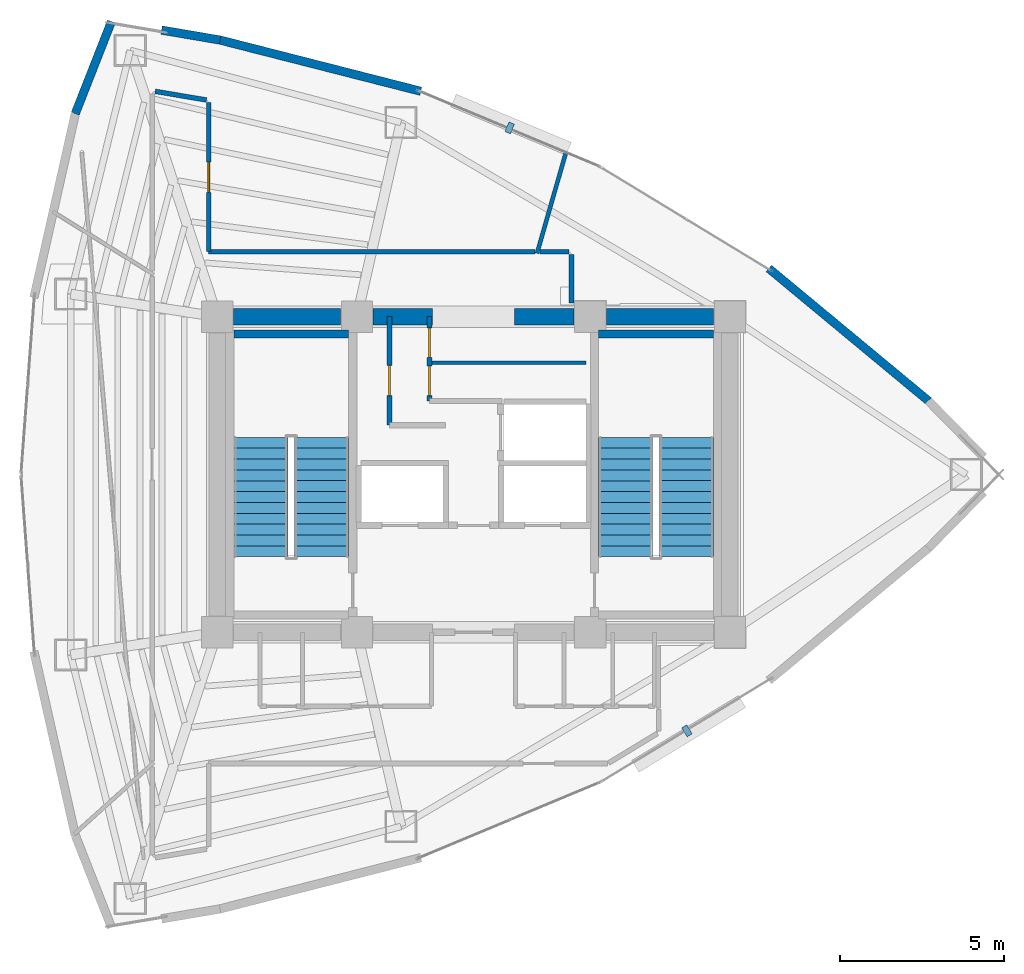
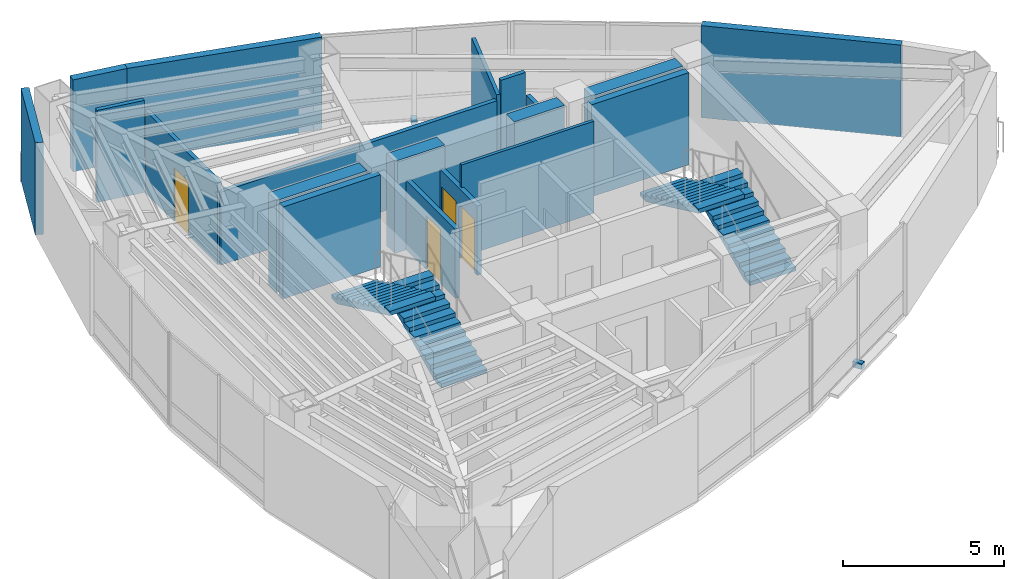
# One storey, part 13 of 16: 19 walls, 4 doors, 4 stair flights, 2 discrete accessories, 4 openings, 2 elements without a shape of their own.
"""IFC4 building model written with IfcOpenShell, lengths in metres."""

from ifc_helpers import new_model, si_unit, direction, frame, frame_2d, origin, origin_2d, place, context, subcontext, project, spatial, polyline, rectangle, outline, extrude, material, layer, layer_set, type_object, element, fill, aggregate, save


model = new_model("IFC4")

# Units and contexts
model_context = context("Model", 3, precision=1e-05, world=origin(), true_north=direction((0.0, 1.0)))
body_context = subcontext(model_context, "Body", "Model", "MODEL_VIEW")
ifc_project = project(units=[si_unit("LENGTHUNIT", "METRE"), si_unit("AREAUNIT", "SQUARE_METRE"), si_unit("VOLUMEUNIT", "CUBIC_METRE"), si_unit("PLANEANGLEUNIT", "RADIAN"), si_unit("MASSUNIT", "GRAM", prefix="KILO")], contexts=[model_context])

# Site, building, storey
site_placement = place(None, origin())
site = spatial("IfcSite", under=ifc_project, at=site_placement, CompositionType="ELEMENT")
building_placement = place(site_placement, origin())
building = spatial("IfcBuilding", under=site, at=building_placement, Name="Menara Vayukalpa", CompositionType="ELEMENT")
storey_placement = place(building_placement, frame((0.0, 0.0, 219.5400390625)))
storey = spatial("IfcBuildingStorey", under=building, at=storey_placement, Name="L55", CompositionType="ELEMENT", Elevation=219.5400390625)

# Walls
ifc_material_1 = material(Name="Concrete C60/75", Category="concrete")
ifc_layer_1 = layer(ifc_material_1, 0.5)
ifc_layer_set_1 = layer_set([ifc_layer_1], Name="Concrete C60/75")
wall_type_1 = type_object("IfcWallType", Name="WAL-CW500", PredefinedType="SHEAR", material=ifc_layer_set_1)
wall_1_placement = place(storey_placement, frame((18.294921875, 26.800048828125, 0.0), z_axis=(0.0, 0.0, 1.0), x_axis=(1.0, 0.0, 0.0)))
element("IfcWall", 1, at=wall_1_placement, inside=storey, type_object=wall_type_1, Name="L55 Buttressed Core Shear Wall CWN1", PredefinedType="SHEAR", context=body_context, shape_type="SweptSolid", body=[
    extrude(rectangle(XDim=3.260009765625, YDim=0.5, at=frame_2d((1.6298828125, 0.0))), origin(), (0.0, 0.0, 1.0), 3.5),
])
wall_2_placement = place(storey_placement, frame((22.544921875, 26.800048828125, 0.0), z_axis=(0.0, 0.0, 1.0), x_axis=(1.0, 0.0, 0.0)))
element("IfcWall", 2, at=wall_2_placement, inside=storey, type_object=wall_type_1, Name="L55 Buttressed Core Shear Wall CWN2", PredefinedType="SHEAR", context=body_context, shape_type="SweptSolid", body=[
    extrude(rectangle(XDim=1.80517578125, YDim=0.5, at=frame_2d((0.902587890625, 0.0))), origin(), (0.0, 0.0, 1.0), 3.5),
])
wall_3_placement = place(storey_placement, frame((26.85009765625, 26.800048828125, 0.0), z_axis=(0.0, 0.0, 1.0), x_axis=(1.0, 0.0, 0.0)))
element("IfcWall", 3, at=wall_3_placement, inside=storey, type_object=wall_type_1, Name="L55 Buttressed Core Shear Wall CWN3", PredefinedType="SHEAR", context=body_context, shape_type="SweptSolid", body=[
    extrude(rectangle(XDim=1.804931640625, YDim=0.5, at=frame_2d((0.90234375, 0.0))), origin(), (0.0, 0.0, 1.0), 3.5),
])
wall_4_placement = place(storey_placement, frame((29.64501953125, 26.800048828125, 0.0), z_axis=(0.0, 0.0, 1.0), x_axis=(1.0, 0.0, 0.0)))
element("IfcWall", 4, at=wall_4_placement, inside=storey, type_object=wall_type_1, Name="L55 Buttressed Core Shear Wall CWN4", PredefinedType="SHEAR", context=body_context, shape_type="SweptSolid", body=[
    extrude(rectangle(XDim=3.260009765625, YDim=0.5, at=frame_2d((1.6298828125, 0.0))), origin(), (0.0, 0.0, 1.0), 3.5),
])
ifc_material_2 = material(Name="Insulated Precast Concrete C40/50", Category="concrete")
ifc_layer_2 = layer(ifc_material_2, 0.260009765625)
ifc_layer_set_2 = layer_set([ifc_layer_2], Name="Insulated Precast Concrete C40/50")
wall_type_2 = type_object("IfcWallType", Name="WAL-EXT260", PredefinedType="PARTITIONING", material=ifc_layer_set_2)
wall_5_placement = place(storey_placement, frame((34.58251953125, 28.26953125, 0.0), z_axis=(0.0, 0.0, 1.0), x_axis=(0.769765373155, -0.638326930571, 0.0)))
element("IfcWall", 5, at=wall_5_placement, inside=storey, type_object=wall_type_2, Name="L55 Perimeter Terracotta Pier Wall 03", PredefinedType="PARTITIONING", context=body_context, shape_type="SweptSolid", body=[
    extrude(rectangle(XDim=6.3154296875, YDim=0.260009765625, at=frame_2d((3.15771484375, 0.0))), origin(), (0.0, 0.0, 1.0), 3.5),
])
wall_6_placement = place(storey_placement, frame((17.8759765625, 35.22216796875, 0.0), z_axis=(0.0, 0.0, 1.0), x_axis=(0.968976240439, -0.247153890246, 0.0)))
element("IfcWall", 6, at=wall_6_placement, inside=storey, type_object=wall_type_2, Name="L55 Perimeter Terracotta Pier Wall 06", PredefinedType="PARTITIONING", context=body_context, shape_type="SweptSolid", body=[
    extrude(rectangle(XDim=6.31494140625, YDim=0.260009765625, at=frame_2d((3.157470703125, 0.0))), origin(), (0.0, 0.0, 1.0), 3.5),
])
wall_7_placement = place(storey_placement, frame((16.10693359375, 35.52197265625, 0.0), z_axis=(0.0, 0.0, 1.0), x_axis=(0.985877723898, -0.167466753484, 0.0)))
element("IfcWall", 7, at=wall_7_placement, inside=storey, type_object=wall_type_2, Name="L55 Perimeter Terracotta Pier Wall 07", PredefinedType="PARTITIONING", context=body_context, shape_type="SweptSolid", body=[
    extrude(rectangle(XDim=1.80615234375, YDim=0.260009765625, at=frame_2d((0.903076171875, 0.0))), origin(), (0.0, 0.0, 1.0), 3.5),
])
wall_8_placement = place(storey_placement, frame((13.47900390625, 32.978515625, 0.0), z_axis=(0.0, 0.0, 1.0), x_axis=(0.365609724313, 0.930768246927, 0.0)))
element("IfcWall", 8, at=wall_8_placement, inside=storey, type_object=wall_type_2, Name="L55 Perimeter Terracotta Pier Wall 08", PredefinedType="PARTITIONING", context=body_context, shape_type="SweptSolid", body=[
    extrude(rectangle(XDim=3.010986328125, YDim=0.260009765625, at=frame_2d((1.50537109375, 0.0))), origin(), (0.0, 0.0, 1.0), 3.5),
])

# Wall, opening, door
ifc_material_3 = material(Name="Lightweight Concrete Blockwork C16/20", Category="masonry")
ifc_layer_3 = layer(ifc_material_3, 0.159912109375)
ifc_layer_set_3 = layer_set([ifc_layer_3], Name="Lightweight Concrete Blockwork C16/20")
wall_type_3 = type_object("IfcWallType", Name="WAL-FR150", PredefinedType="PARTITIONING", material=ifc_layer_set_3)
wall_9_placement = place(storey_placement, frame((23.0400390625, 23.5, 0.0), z_axis=(0.0, 0.0, 1.0), x_axis=(0.0, 1.0, 0.0)))
wall_9 = element("IfcWall", 9, at=wall_9_placement, inside=storey, type_object=wall_type_3, Name="L55 Interior Partition IW-L55-LV7WB", PredefinedType="PARTITIONING", context=body_context, shape_type="SweptSolid", body=[
    extrude(rectangle(XDim=3.300048828125, YDim=0.159912109375, at=frame_2d((1.64990234375, 0.0))), origin(), (0.0, 0.0, 1.0), 2.6298828125),
])
opening_1_placement = place(wall_9_placement, frame((0.89990234375, 0.0, 0.0)))
opening_1 = element("IfcOpeningElement", 10, at=opening_1_placement, cuts=wall_9, Name="Opening ID6", PredefinedType="OPENING", context=body_context, shape_type="SweptSolid", body=[
    extrude(rectangle(XDim=0.919921875, YDim=2.050048828125, at=frame_2d((0.4599609375, 1.02490234375))), frame((0.0, 0.08984375, 0.0), z_axis=(0.0, -1.0, 0.0), x_axis=(1.0, 0.0, 0.0)), (0.0, 0.0, 1.0), 0.179931640625),
])
ifc_material_4 = material(Name="Acoustic Hardwood Veneer Timber Door", Category="wood")
door_type_1 = type_object("IfcDoorType", Name="DR-INT92", OperationType="NOTDEFINED", PredefinedType="DOOR", material=ifc_material_4)
door_1_placement = place(opening_1_placement, origin())
door_1 = element("IfcDoor", 11, at=door_1_placement, inside=storey, type_object=door_type_1, Name="L55 Interior Door DR-L55-LV7W", OperationType="SINGLE_SWING_RIGHT", OverallHeight=2.050048828125, OverallWidth=0.919921875, PredefinedType="DOOR", context=body_context, shape_type="SweptSolid", body=[
    extrude(rectangle(XDim=0.919921875, YDim=2.050048828125, at=frame_2d((0.4599609375, 1.02490234375))), frame((0.0, 0.02490234375, 0.0), z_axis=(0.0, -1.0, 0.0), x_axis=(1.0, 0.0, 0.0)), (0.0, 0.0, 1.0), 0.050048828125),
])
fill(opening_1, door_1)

# Wall, openings, doors
wall_10_placement = place(storey_placement, frame((24.260009765625, 24.239990234375, 0.0), z_axis=(0.0, 0.0, 1.0), x_axis=(0.0, 1.0, 0.0)))
wall_10 = element("IfcWall", 12, at=wall_10_placement, inside=storey, type_object=wall_type_3, Name="L55 Interior Partition IW-L55-LV7EB", PredefinedType="PARTITIONING", context=body_context, shape_type="SweptSolid", body=[
    extrude(rectangle(XDim=2.56005859375, YDim=0.159912109375, at=frame_2d((1.280029296875, 0.0))), origin(), (0.0, 0.0, 1.0), 2.6298828125),
])
opening_2_placement = place(wall_10_placement, frame((0.159912109375, 0.0, 0.0)))
opening_2 = element("IfcOpeningElement", 13, at=opening_2_placement, cuts=wall_10, Name="Opening ID7", PredefinedType="OPENING", context=body_context, shape_type="SweptSolid", body=[
    extrude(rectangle(XDim=0.89990234375, YDim=2.02001953125, at=frame_2d((0.449951171875, 1.010009765625))), frame((0.0, 0.08984375, 0.0), z_axis=(0.0, -1.0, 0.0), x_axis=(1.0, 0.0, 0.0)), (0.0, 0.0, 1.0), 0.179931640625),
])
opening_3_placement = place(wall_10_placement, frame((1.320068359375, 0.0, 0.0)))
opening_3 = element("IfcOpeningElement", 14, at=opening_3_placement, cuts=wall_10, Name="Opening ID7", PredefinedType="OPENING", context=body_context, shape_type="SweptSolid", body=[
    extrude(rectangle(XDim=0.89990234375, YDim=2.02001953125, at=frame_2d((0.449951171875, 1.010009765625))), frame((0.0, 0.08984375, 0.0), z_axis=(0.0, -1.0, 0.0), x_axis=(1.0, 0.0, 0.0)), (0.0, 0.0, 1.0), 0.179931640625),
])
ifc_material_5 = material(Name="Powder-Coated Steel Riser Access Door", Category="steel")
door_type_2 = type_object("IfcDoorType", Name="DR-RISER", OperationType="NOTDEFINED", PredefinedType="DOOR", material=ifc_material_5)
door_2_placement = place(opening_2_placement, origin())
door_2 = element("IfcDoor", 15, at=door_2_placement, inside=storey, type_object=door_type_2, Name="L55 Interior Door DR-L55-LV7E1", OperationType="SINGLE_SWING_LEFT", OverallHeight=2.02001953125, OverallWidth=0.89990234375, PredefinedType="DOOR", context=body_context, shape_type="SweptSolid", body=[
    extrude(rectangle(XDim=0.89990234375, YDim=2.02001953125, at=frame_2d((0.449951171875, 1.010009765625))), frame((0.0, 0.02490234375, 0.0), z_axis=(0.0, -1.0, 0.0), x_axis=(1.0, 0.0, 0.0)), (0.0, 0.0, 1.0), 0.050048828125),
])
fill(opening_2, door_2)
door_3_placement = place(opening_3_placement, origin())
door_3 = element("IfcDoor", 16, at=door_3_placement, inside=storey, type_object=door_type_2, Name="L55 Interior Door DR-L55-LV7E2", OperationType="SINGLE_SWING_RIGHT", OverallHeight=2.02001953125, OverallWidth=0.89990234375, PredefinedType="DOOR", context=body_context, shape_type="SweptSolid", body=[
    extrude(rectangle(XDim=0.89990234375, YDim=2.02001953125, at=frame_2d((0.449951171875, 1.010009765625))), frame((0.0, 0.02490234375, 0.0), z_axis=(0.0, -1.0, 0.0), x_axis=(1.0, 0.0, 0.0)), (0.0, 0.0, 1.0), 0.050048828125),
])
fill(opening_3, door_3)

# Walls
ifc_material_6 = material(Name="Acoustic Mineral Stud Partition", Category="masonry")
ifc_layer_4 = layer(ifc_material_6, 0.110107421875)
ifc_layer_set_4 = layer_set([ifc_layer_4], Name="Acoustic Mineral Stud Partition")
wall_type_4 = type_object("IfcWallType", Name="WAL-PT110", PredefinedType="PARTITIONING", material=ifc_layer_set_4)
wall_11_placement = place(storey_placement, frame((24.260009765625, 25.39990234375, 0.0), z_axis=(0.0, 0.0, 1.0), x_axis=(1.0, 0.0, 0.0)))
element("IfcWall", 17, at=wall_11_placement, inside=storey, type_object=wall_type_4, Name="L55 Interior Partition IW-L55-LV7EM", PredefinedType="PARTITIONING", context=body_context, shape_type="SweptSolid", body=[
    extrude(rectangle(XDim=4.760009765625, YDim=0.110107421875, at=frame_2d((2.3798828125, 0.0))), origin(), (0.0, 0.0, 1.0), 3.5),
])
ifc_material_7 = material(Name="Gypsum Drywall Steel Stud Assembly", Category="steel")
ifc_layer_5 = layer(ifc_material_7, 0.125)
ifc_layer_set_5 = layer_set([ifc_layer_5], Name="Gypsum Drywall Steel Stud Assembly")
wall_type_5 = type_object("IfcWallType", Name="WAL-PT125", PredefinedType="PARTITIONING", material=ifc_layer_set_5)
wall_12_placement = place(storey_placement, frame((27.52978515625, 28.72998046875, 0.0), z_axis=(0.0, 0.0, 1.0), x_axis=(0.275627571295, 0.961264501551, 0.0)))
element("IfcWall", 18, at=wall_12_placement, inside=storey, type_object=wall_type_5, Name="L55 Interior Partition IW-L55-RDIV01", PredefinedType="PARTITIONING", context=body_context, shape_type="SweptSolid", body=[
    extrude(rectangle(XDim=3.201171875, YDim=0.125, at=frame_2d((1.6005859375, 0.0))), origin(), (0.0, 0.0, 1.0), 2.97998046875),
])
ifc_material_8 = material(Name="Gypsum Drywall Acoustic Stud Assembly", Category="masonry")
ifc_layer_6 = layer(ifc_material_8, 0.14501953125)
ifc_layer_set_6 = layer_set([ifc_layer_6], Name="Gypsum Drywall Acoustic Stud Assembly")
wall_type_6 = type_object("IfcWallType", Name="WAL-PT150", PredefinedType="PARTITIONING", material=ifc_layer_set_6)
wall_13_placement = place(storey_placement, frame((28.580078125, 27.219970703125, 0.0), z_axis=(0.0, 0.0, 1.0), x_axis=(0.0, 1.0, 0.0)))
element("IfcWall", 19, at=wall_13_placement, inside=storey, type_object=wall_type_6, Name="L55 Interior Partition IW-L55-CRM03-8", PredefinedType="PARTITIONING", context=body_context, shape_type="SweptSolid", body=[
    extrude(rectangle(XDim=1.47998046875, YDim=0.14501953125, at=frame_2d((0.739990234375, 0.0))), origin(), (0.0, 0.0, 1.0), 2.6298828125),
])
wall_14_placement = place(storey_placement, frame((28.5, 28.780029296875, 0.0), z_axis=(0.0, 0.0, 1.0), x_axis=(-1.0, 0.0, 0.0)))
element("IfcWall", 20, at=wall_14_placement, inside=storey, type_object=wall_type_6, Name="L55 Interior Partition IW-L55-CRM03-9", PredefinedType="PARTITIONING", context=body_context, shape_type="SweptSolid", body=[
    extrude(rectangle(XDim=0.883056640625, YDim=0.14501953125, at=frame_2d((0.44140625, 0.0))), origin(), (0.0, 0.0, 1.0), 3.5),
])
wall_15_placement = place(storey_placement, frame((27.47119140625, 28.780029296875, 0.0), z_axis=(0.0, 0.0, 1.0), x_axis=(-1.0, 0.0, 0.0)))
element("IfcWall", 21, at=wall_15_placement, inside=storey, type_object=wall_type_6, Name="L55 Interior Partition IW-L55-CRM04-1", PredefinedType="PARTITIONING", context=body_context, shape_type="SweptSolid", body=[
    extrude(rectangle(XDim=9.93115234375, YDim=0.14501953125, at=frame_2d((4.965576171875, 0.0))), origin(), (0.0, 0.0, 1.0), 2.780029296875),
])

# Wall, opening, door
wall_16_placement = place(storey_placement, frame((17.5400390625, 28.780029296875, 0.0), z_axis=(0.0, 0.0, 1.0), x_axis=(0.0, 1.0, 0.0)))
wall_16 = element("IfcWall", 22, at=wall_16_placement, inside=storey, type_object=wall_type_6, Name="L55 Interior Partition IW-L55-CRM04-2", PredefinedType="PARTITIONING", context=body_context, shape_type="SweptSolid", body=[
    extrude(rectangle(XDim=4.5341796875, YDim=0.14501953125, at=frame_2d((2.26708984375, 0.0))), origin(), (0.0, 0.0, 1.0), 3.1298828125),
])
opening_4_placement = place(wall_16_placement, frame((1.80712890625, 0.0, 0.0)))
opening_4 = element("IfcOpeningElement", 23, at=opening_4_placement, cuts=wall_16, Name="Opening ID6", PredefinedType="OPENING", context=body_context, shape_type="SweptSolid", body=[
    extrude(rectangle(XDim=0.919921875, YDim=2.050048828125, at=frame_2d((0.4599609375, 1.02490234375))), frame((0.0, 0.08251953125, 0.0), z_axis=(0.0, -1.0, 0.0), x_axis=(1.0, 0.0, 0.0)), (0.0, 0.0, 1.0), 0.1650390625),
])
door_4_placement = place(opening_4_placement, origin())
door_4 = element("IfcDoor", 24, at=door_4_placement, inside=storey, type_object=door_type_1, Name="L55 Interior Door DR-L55-RM04", OperationType="SINGLE_SWING_LEFT", OverallHeight=2.050048828125, OverallWidth=0.919921875, PredefinedType="DOOR", context=body_context, shape_type="SweptSolid", body=[
    extrude(rectangle(XDim=0.919921875, YDim=2.050048828125, at=frame_2d((0.4599609375, 1.02490234375))), frame((0.0, 0.02490234375, 0.0), z_axis=(0.0, -1.0, 0.0), x_axis=(1.0, 0.0, 0.0)), (0.0, 0.0, 1.0), 0.050048828125),
])
fill(opening_4, door_4)

# Walls
wall_17_placement = place(storey_placement, frame((17.473388671875, 33.393310546875, 0.0), z_axis=(0.0, 0.0, 1.0), x_axis=(-0.985914419316, 0.167250583809, 0.0)))
element("IfcWall", 25, at=wall_17_placement, inside=storey, type_object=wall_type_6, Name="L55 Interior Partition IW-L55-CRM04-3", PredefinedType="PARTITIONING", context=body_context, shape_type="SweptSolid", body=[
    extrude(rectangle(XDim=1.582275390625, YDim=0.14501953125, at=frame_2d((0.791015625, 0.0))), origin(), (0.0, 0.0, 1.0), 3.5),
])
ifc_material_9 = material(Name="Concrete C50/60", Category="concrete")
ifc_layer_7 = layer(ifc_material_9, 0.25)
ifc_layer_set_7 = layer_set([ifc_layer_7], Name="Concrete C50/60")
wall_type_7 = type_object("IfcWallType", Name="WAL-SW250", PredefinedType="SHEAR", material=ifc_layer_set_7)
for number, where, z_axis, x_axis, name in (
    (26, (18.303955078125, 26.27490234375, 0.0), (0.0, 0.0, 1.0), (1.0, 0.0, 0.0), "L55 ST1 Structural Stair Shaft Wall N"),
    (27, (29.39990234375, 26.27490234375, 0.0), (0.0, 0.0, 1.0), (1.0, 0.0, 0.0), "L55 ST2 Structural Stair Shaft Wall N"),
):
    element("IfcWall", number, at=place(storey_placement, frame(where, z_axis=z_axis, x_axis=x_axis)), inside=storey, type_object=wall_type_7, Name=name, PredefinedType="SHEAR", context=body_context, shape_type="SweptSolid", body=[
        extrude(rectangle(XDim=3.49609375, YDim=0.25, at=frame_2d((1.748046875, 0.0))), origin(), (0.0, 0.0, 1.0), 3.5),
    ])

# Stair, stair flights
ifc_material_10 = material(Name="Precast Concrete C40/50", Category="concrete")
stair_type = type_object("IfcStairType", Name="STR-T04", PredefinedType="DOUBLE_RETURN_STAIR", material=ifc_material_10)
stair_1_placement = place(storey_placement, origin())
stair_1 = element("IfcStair", 28, at=stair_1_placement, inside=storey, type_object=stair_type, Name="L55 Core Exit Stair ST-1", PredefinedType="DOUBLE_RETURN_STAIR")
ifc_material_11 = material(Name="Precast Concrete C40/50", Category="concrete")
stair_flight_type = type_object("IfcStairFlightType", Name="STF-T04", PredefinedType="STRAIGHT", material=ifc_material_11)
stair_flight_1_placement = place(storey_placement, frame((20.97509765625, 19.5, 0.0), z_axis=(0.0, 0.0, 1.0), x_axis=(0.0, 1.0, 0.0)))
stair_flight_1 = element("IfcStairFlight", 29, at=stair_flight_1_placement, type_object=stair_flight_type, Name="ST-1 flight 1", NumberOfRisers=12, NumberOfTreads=11, PredefinedType="STRAIGHT", RiserHeight=0.155, TreadLength=0.33, context=body_context, shape_type="SweptSolid", body=[
    extrude(outline(polyline([(0.0, 0.0), (0.0, 0.155029296875), (0.330078125, 0.155029296875), (0.330078125, 0.31005859375), (0.659912109375, 0.31005859375), (0.659912109375, 0.465087890625), (0.989990234375, 0.465087890625), (0.989990234375, 0.6201171875), (1.320068359375, 0.6201171875), (1.320068359375, 0.77490234375), (1.64990234375, 0.77490234375), (1.64990234375, 0.929931640625), (1.97998046875, 0.929931640625), (1.97998046875, 1.0849609375), (2.31005859375, 1.0849609375), (2.31005859375, 1.239990234375), (2.639892578125, 1.239990234375), (2.639892578125, 1.39501953125), (2.969970703125, 1.39501953125), (2.969970703125, 1.550048828125), (3.300048828125, 1.550048828125), (3.300048828125, 1.705078125), (3.6298828125, 1.705078125), (3.6298828125, 1.860107421875), (3.6298828125, 1.539306640625), (0.3525390625, 0.0), (0.0, 0.0)])), frame((0.0, 0.824951171875, 0.0), z_axis=(0.0, -1.0, 0.0), x_axis=(1.0, 0.0, 0.0)), (0.0, 0.0, 1.0), 1.64990234375),
])
stair_flight_2_placement = place(storey_placement, frame((19.125, 23.1298828125, 1.85986328125), z_axis=(0.0, 0.0, 1.0), x_axis=(0.0, -1.0, 0.0)))
stair_flight_2 = element("IfcStairFlight", 30, at=stair_flight_2_placement, type_object=stair_flight_type, Name="ST-1 flight 2", NumberOfRisers=12, NumberOfTreads=11, PredefinedType="STRAIGHT", RiserHeight=0.155, TreadLength=0.33, context=body_context, shape_type="SweptSolid", body=[
    extrude(outline(polyline([(0.0, 0.0), (0.0, 0.155029296875), (0.330078125, 0.155029296875), (0.330078125, 0.31005859375), (0.659912109375, 0.31005859375), (0.659912109375, 0.465087890625), (0.989990234375, 0.465087890625), (0.989990234375, 0.6201171875), (1.320068359375, 0.6201171875), (1.320068359375, 0.77490234375), (1.64990234375, 0.77490234375), (1.64990234375, 0.929931640625), (1.97998046875, 0.929931640625), (1.97998046875, 1.0849609375), (2.31005859375, 1.0849609375), (2.31005859375, 1.239990234375), (2.639892578125, 1.239990234375), (2.639892578125, 1.39501953125), (2.969970703125, 1.39501953125), (2.969970703125, 1.550048828125), (3.300048828125, 1.550048828125), (3.300048828125, 1.705078125), (3.6298828125, 1.705078125), (3.6298828125, 1.860107421875), (3.6298828125, 1.539306640625), (0.3525390625, 0.0), (0.0, 0.0)])), frame((0.0, 0.824951171875, 0.0), z_axis=(0.0, -1.0, 0.0), x_axis=(1.0, 0.0, 0.0)), (0.0, 0.0, 1.0), 1.64990234375),
])
aggregate(stair_1, [stair_flight_1, stair_flight_2])

stair_2_placement = place(storey_placement, origin())
stair_2 = element("IfcStair", 31, at=stair_2_placement, inside=storey, type_object=stair_type, Name="L55 Core Exit Stair ST-2", PredefinedType="DOUBLE_RETURN_STAIR")
stair_flight_3_placement = place(storey_placement, frame((32.074951171875, 19.5, 0.0), z_axis=(0.0, 0.0, 1.0), x_axis=(0.0, 1.0, 0.0)))
stair_flight_3 = element("IfcStairFlight", 32, at=stair_flight_3_placement, type_object=stair_flight_type, Name="ST-2 flight 1", NumberOfRisers=12, NumberOfTreads=11, PredefinedType="STRAIGHT", RiserHeight=0.155, TreadLength=0.33, context=body_context, shape_type="SweptSolid", body=[
    extrude(outline(polyline([(0.0, 0.0), (0.0, 0.155029296875), (0.330078125, 0.155029296875), (0.330078125, 0.31005859375), (0.659912109375, 0.31005859375), (0.659912109375, 0.465087890625), (0.989990234375, 0.465087890625), (0.989990234375, 0.6201171875), (1.320068359375, 0.6201171875), (1.320068359375, 0.77490234375), (1.64990234375, 0.77490234375), (1.64990234375, 0.929931640625), (1.97998046875, 0.929931640625), (1.97998046875, 1.0849609375), (2.31005859375, 1.0849609375), (2.31005859375, 1.239990234375), (2.639892578125, 1.239990234375), (2.639892578125, 1.39501953125), (2.969970703125, 1.39501953125), (2.969970703125, 1.550048828125), (3.300048828125, 1.550048828125), (3.300048828125, 1.705078125), (3.6298828125, 1.705078125), (3.6298828125, 1.860107421875), (3.6298828125, 1.539306640625), (0.3525390625, 0.0), (0.0, 0.0)])), frame((0.0, 0.824951171875, 0.0), z_axis=(0.0, -1.0, 0.0), x_axis=(1.0, 0.0, 0.0)), (0.0, 0.0, 1.0), 1.64990234375),
])
stair_flight_4_placement = place(storey_placement, frame((30.22509765625, 23.1298828125, 1.85986328125), z_axis=(0.0, 0.0, 1.0), x_axis=(0.0, -1.0, 0.0)))
stair_flight_4 = element("IfcStairFlight", 33, at=stair_flight_4_placement, type_object=stair_flight_type, Name="ST-2 flight 2", NumberOfRisers=12, NumberOfTreads=11, PredefinedType="STRAIGHT", RiserHeight=0.155, TreadLength=0.33, context=body_context, shape_type="SweptSolid", body=[
    extrude(outline(polyline([(0.0, 0.0), (0.0, 0.155029296875), (0.330078125, 0.155029296875), (0.330078125, 0.31005859375), (0.659912109375, 0.31005859375), (0.659912109375, 0.465087890625), (0.989990234375, 0.465087890625), (0.989990234375, 0.6201171875), (1.320068359375, 0.6201171875), (1.320068359375, 0.77490234375), (1.64990234375, 0.77490234375), (1.64990234375, 0.929931640625), (1.97998046875, 0.929931640625), (1.97998046875, 1.0849609375), (2.31005859375, 1.0849609375), (2.31005859375, 1.239990234375), (2.639892578125, 1.239990234375), (2.639892578125, 1.39501953125), (2.969970703125, 1.39501953125), (2.969970703125, 1.550048828125), (3.300048828125, 1.550048828125), (3.300048828125, 1.705078125), (3.6298828125, 1.705078125), (3.6298828125, 1.860107421875), (3.6298828125, 1.539306640625), (0.3525390625, 0.0), (0.0, 0.0)])), frame((0.0, 0.824951171875, 0.0), z_axis=(0.0, -1.0, 0.0), x_axis=(1.0, 0.0, 0.0)), (0.0, 0.0, 1.0), 1.64990234375),
])
aggregate(stair_2, [stair_flight_3, stair_flight_4])

# Discrete accessories
ifc_material_12 = material(Name="Stainless Steel 316 Sunshade Bracket", Category="steel")
discrete_accessory_type = type_object("IfcDiscreteAccessoryType", Name="ACC-BRK1", PredefinedType="BRACKET", material=ifc_material_12)
for number, where, z_axis, x_axis, name in (
    (34, (26.69775390625, 32.5458984375, -0.16015625), (0.0, 0.0, 1.0), (-0.922538089456, 0.385906042324, 0.0), "L55 Terracotta Sunshade Bracket 05"),
    (35, (32.091064453125, 14.20068359375, -0.16015625), (0.0, 0.0, 1.0), (0.85466730962, 0.519176068272, 0.0), "L55 Terracotta Sunshade Bracket 17"),
):
    element("IfcDiscreteAccessory", number, at=place(storey_placement, frame(where, z_axis=z_axis, x_axis=x_axis)), inside=storey, type_object=discrete_accessory_type, Name=name, PredefinedType="BRACKET", context=body_context, shape_type="SweptSolid", body=[
        extrude(rectangle(XDim=0.179931640625, YDim=0.320068359375, at=origin_2d()), origin(), (0.0, 0.0, 1.0), 0.219970703125),
    ])

save(model, "model.ifc")
